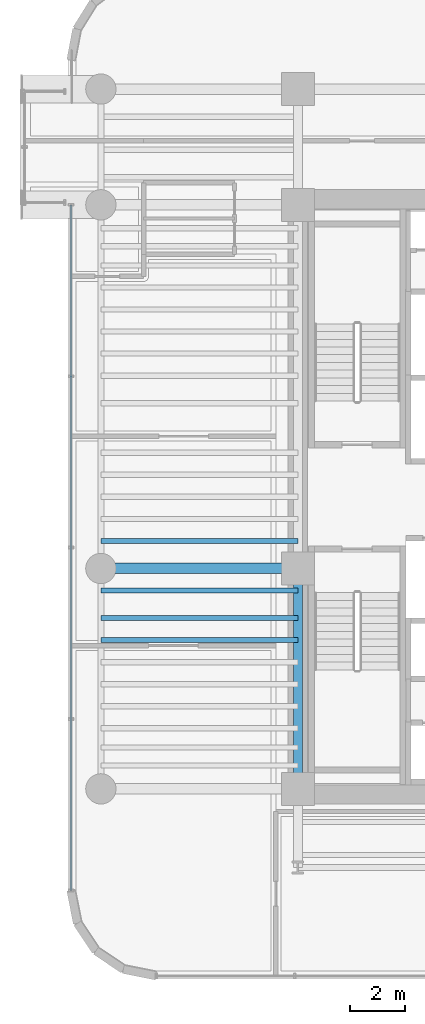
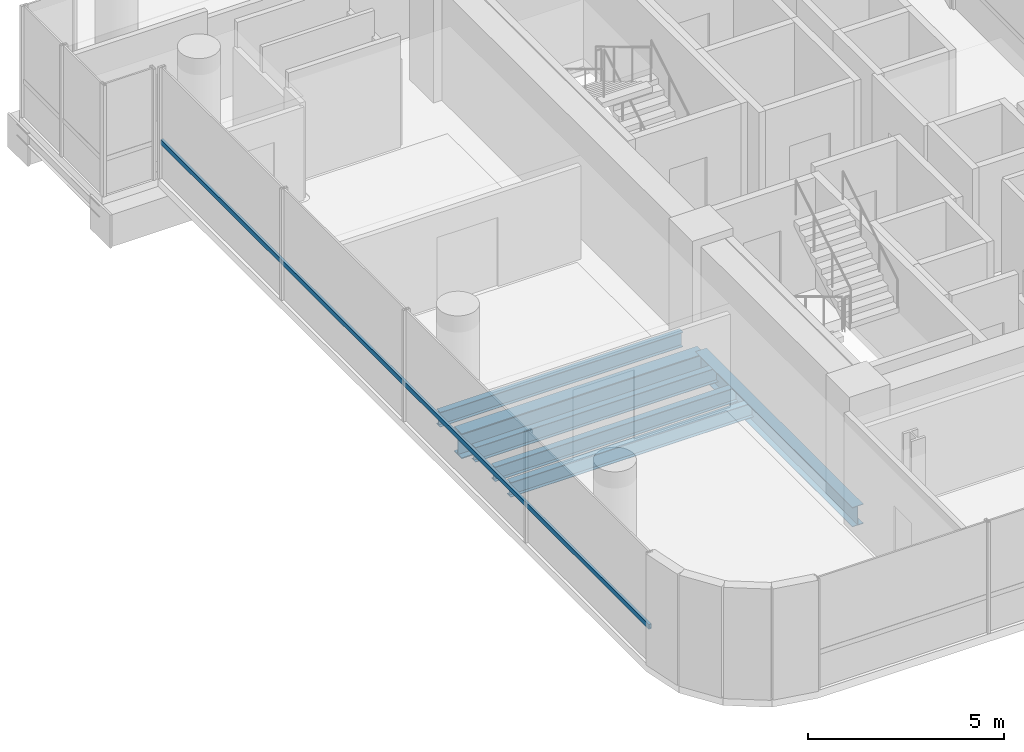
# One storey, part 5 of 35: 6 beams, 1 member, 1 element without a shape of its own.
"""IFC4 building model written with IfcOpenShell, lengths in metres."""

from ifc_helpers import new_model, si_unit, direction, frame, origin, origin_2d, place, context, subcontext, project, spatial, hollow_rectangle, i_section, extrude, source, transform, mapped, material, material_profile, profile_set, type_object, element, aggregate, save


model = new_model("IFC4")

# Units and contexts
model_context = context("Model", 3, precision=1e-05, world=origin(), true_north=direction((0.0, 1.0)))
body_context = subcontext(model_context, "Body", "Model", "MODEL_VIEW")
ifc_project = project(units=[si_unit("LENGTHUNIT", "METRE"), si_unit("AREAUNIT", "SQUARE_METRE"), si_unit("VOLUMEUNIT", "CUBIC_METRE"), si_unit("PLANEANGLEUNIT", "RADIAN"), si_unit("MASSUNIT", "GRAM", prefix="KILO")], contexts=[model_context])

# Site, building, storey
site_placement = place(None, origin())
site = spatial("IfcSite", under=ifc_project, at=site_placement, CompositionType="ELEMENT")
building_placement = place(site_placement, origin())
building = spatial("IfcBuilding", under=site, at=building_placement, Name="Valdorenza Pilgrim Sanctuary Tower", CompositionType="ELEMENT")
storey_placement = place(building_placement, frame((0.0, 0.0, 124.199951171875)))
storey = spatial("IfcBuildingStorey", under=building, at=storey_placement, Name="L31", CompositionType="ELEMENT", Elevation=124.199951171875)

# Beams
ifc_material_1 = material(Name="Steel ASTM A992 Grade 50", Category="steel")
ifc_material_profile_1 = material_profile(ifc_material_1, i_section(OverallWidth=0.323974609375, OverallDepth=0.611083984375, WebThickness=0.0126953125, FlangeThickness=0.01904296875, at=origin_2d()), Name="W24X104")
ifc_profile_set_1 = profile_set([ifc_material_profile_1], Name="Steel ASTM A992 Grade 50")
beam_type_1 = type_object("IfcBeamType", Name="STR-BM-GRD-W24B", PredefinedType="BEAM", material=ifc_profile_set_1)
shared_shape_1 = source(origin(), body_context, "Body", "SweptSolid", [
    extrude(i_section(OverallWidth=0.323974609375, OverallDepth=0.611083984375, WebThickness=0.0126953125, FlangeThickness=0.01904296875, at=origin_2d()), origin(), (0.0, 0.0, 1.0), 8.0),
])
beam_1_placement = place(storey_placement, frame((-22.64990234375, -10.60009765625, -0.54541015625), z_axis=(0.0, 1.0, 0.0), x_axis=(-1.0, 0.0, 0.0)))
element("IfcBeam", 1, at=beam_1_placement, inside=storey, type_object=beam_type_1, Name="L31 Core Tie Girder CA-W-S1M0", PredefinedType="BEAM", context=body_context, shape_type="MappedRepresentation", body=[
    mapped(shared_shape_1, transform((0.0, 0.0, 0.0), x_axis=(1.0, 0.0, 0.0), y_axis=(0.0, 1.0, 0.0), z_axis=(0.0, 0.0, 1.0), scale=1.0)),
])
ifc_material_profile_2 = material_profile(ifc_material_1, i_section(OverallWidth=0.382080078125, OverallDepth=0.779052734375, WebThickness=0.01806640625, FlangeThickness=0.030029296875, at=origin_2d()), Name="W30X191")
ifc_profile_set_2 = profile_set([ifc_material_profile_2], Name="Steel ASTM A992 Grade 50")
beam_type_2 = type_object("IfcBeamType", Name="STR-BM-GRD-W30", PredefinedType="BEAM", material=ifc_profile_set_2)
shared_shape_2 = source(origin(), body_context, "Body", "SweptSolid", [
    extrude(i_section(OverallWidth=0.382080078125, OverallDepth=0.779052734375, WebThickness=0.01806640625, FlangeThickness=0.030029296875, at=origin_2d()), origin(), (0.0, 0.0, 1.0), 7.150146484375),
])
beam_2_placement = place(storey_placement, frame((-29.800048828125, -2.60009765625, -0.62939453125), z_axis=(1.0, 0.0, 0.0), x_axis=(0.0, 1.0, 0.0)))
element("IfcBeam", 2, at=beam_2_placement, inside=storey, type_object=beam_type_2, Name="L31 Floor Girder WA-XW-M0", PredefinedType="BEAM", context=body_context, shape_type="MappedRepresentation", body=[
    mapped(shared_shape_2, transform((0.0, 0.0, 0.0), x_axis=(1.0, 0.0, 0.0), y_axis=(0.0, 1.0, 0.0), z_axis=(0.0, 0.0, 1.0), scale=1.0)),
])
ifc_material_profile_3 = material_profile(ifc_material_1, i_section(OverallWidth=0.19091796875, OverallDepth=0.45703125, WebThickness=0.009033203125, FlangeThickness=0.014404296875, at=origin_2d()), Name="W18X50")
ifc_profile_set_3 = profile_set([ifc_material_profile_3], Name="Steel ASTM A992 Grade 50")
beam_type_3 = type_object("IfcBeamType", Name="STR-BM-JST-W18B", PredefinedType="JOIST", material=ifc_profile_set_3)
shared_shape_3 = source(origin(), body_context, "Body", "SweptSolid", [
    extrude(i_section(OverallWidth=0.19091796875, OverallDepth=0.45703125, WebThickness=0.009033203125, FlangeThickness=0.014404296875, at=origin_2d()), origin(), (0.0, 0.0, 1.0), 7.150146484375),
])
for number, where, z_axis, x_axis, name in (
    (3, (-29.800048828125, -5.199951171875, -0.468505859375), (1.0, 0.0, 0.0), (0.0, 1.0, 0.0), "L31 Composite Floor Joist JST-WA-7"),
    (4, (-29.800048828125, -4.39990234375, -0.468505859375), (1.0, 0.0, 0.0), (0.0, 1.0, 0.0), "L31 Composite Floor Joist JST-WA-8"),
    (5, (-29.800048828125, -3.39990234375, -0.468505859375), (1.0, 0.0, 0.0), (0.0, 1.0, 0.0), "L31 Composite Floor Joist JST-WA-9"),
    (6, (-29.800048828125, -1.60009765625, -0.468505859375), (1.0, 0.0, 0.0), (0.0, 1.0, 0.0), "L31 Composite Floor Joist JST-WA-10"),
):
    element("IfcBeam", number, at=place(storey_placement, frame(where, z_axis=z_axis, x_axis=x_axis)), inside=storey, type_object=beam_type_3, Name=name, PredefinedType="JOIST", context=body_context, shape_type="MappedRepresentation", body=[
        mapped(shared_shape_3, transform((0.0, 0.0, 0.0), x_axis=(1.0, 0.0, 0.0), y_axis=(0.0, 1.0, 0.0), z_axis=(0.0, 0.0, 1.0), scale=1.0)),
    ])

# Curtain wall, member
ifc_material_2 = material(Name="Curtain-wall IGU glazing", Category="glass")
curtain_wall_type = type_object("IfcCurtainWallType", Name="CW-SYS-02", PredefinedType="NOTDEFINED", material=ifc_material_2)
curtain_wall_placement = place(storey_placement, origin())
curtain_wall = element("IfcCurtainWall", 7, at=curtain_wall_placement, inside=storey, type_object=curtain_wall_type, Name="L31 Curtain Wall CW-L31-1-1S1", PredefinedType="NOTDEFINED")
ifc_material_3 = material(Name="Anodised aluminium AW-6060", Category="aluminium")
ifc_material_profile_4 = material_profile(ifc_material_3, hollow_rectangle(XDim=0.074951171875, YDim=0.14990234375, WallThickness=0.00390625, at=origin_2d()), Name="ALU-T 150x75x4")
ifc_profile_set_4 = profile_set([ifc_material_profile_4], Name="Anodised aluminium AW-6060")
member_type = type_object("IfcMemberType", Name="CW-TRN-02", PredefinedType="USERDEFINED", material=ifc_profile_set_4)
shared_shape_4 = source(origin(), body_context, "Body", "SweptSolid", [
    extrude(hollow_rectangle(XDim=0.074951171875, YDim=0.14990234375, WallThickness=0.00390625, at=origin_2d()), origin(), (0.0, 0.0, 1.0), 24.889404296875),
])
member_placement = place(storey_placement, frame((-30.889892578125, -14.289306640625, 1.1201171875), z_axis=(0.0, 1.0, 0.0), x_axis=(-1.0, 0.0, 0.0)))
member = element("IfcMember", 8, at=member_placement, type_object=member_type, Name="CW-L31-1-1S1 Transom 1", ObjectType="TRANSOM", PredefinedType="USERDEFINED", context=body_context, shape_type="MappedRepresentation", body=[
    mapped(shared_shape_4, transform((0.0, 0.0, 0.0), x_axis=(1.0, 0.0, 0.0), y_axis=(0.0, 1.0, 0.0), z_axis=(0.0, 0.0, 1.0), scale=1.0)),
])
aggregate(curtain_wall, [member])

save(model, "model.ifc")
